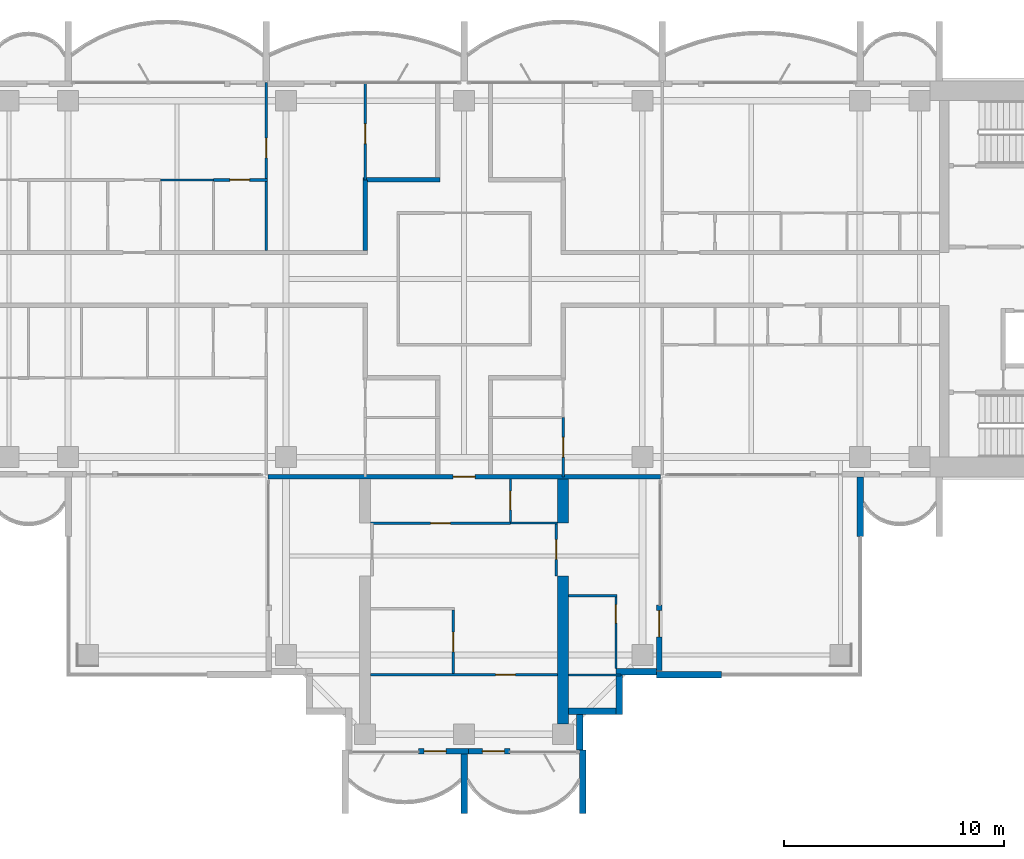
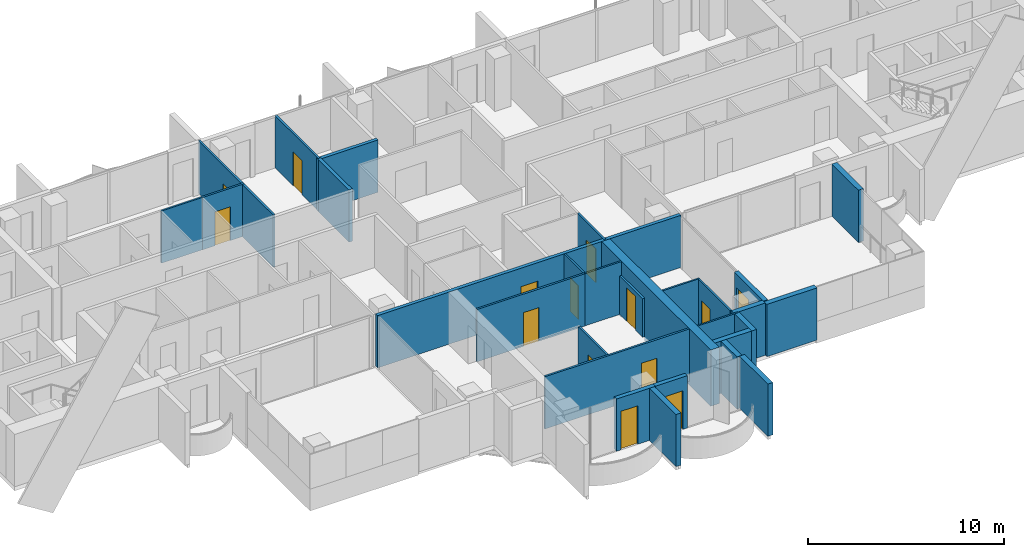
# One storey, part 10 of 17: 29 walls, 14 doors, 14 openings.
"""IFC4 building model written with IfcOpenShell, lengths in metres."""

from ifc_helpers import new_model, si_unit, direction, frame, frame_2d, origin, place, context, subcontext, project, spatial, polyline, rectangle, outline, extrude, material, layer, layer_set, material_profile, profile_set, type_object, element, fill, save


model = new_model("IFC4")

# Units and contexts
model_context = context("Model", 3, precision=1e-05, world=origin(), true_north=direction((0.0, 1.0)))
body_context = subcontext(model_context, "Body", "Model", "MODEL_VIEW")
ifc_project = project(units=[si_unit("LENGTHUNIT", "METRE"), si_unit("AREAUNIT", "SQUARE_METRE"), si_unit("VOLUMEUNIT", "CUBIC_METRE"), si_unit("PLANEANGLEUNIT", "RADIAN"), si_unit("MASSUNIT", "GRAM", prefix="KILO")], contexts=[model_context])

# Site, building, storey
site_placement = place(None, origin())
site = spatial("IfcSite", under=ifc_project, at=site_placement, CompositionType="ELEMENT")
building_placement = place(site_placement, origin())
building = spatial("IfcBuilding", under=site, at=building_placement, Name="Perihelion Cross Residences", CompositionType="ELEMENT")
storey_placement = place(building_placement, frame((0.0, 0.0, 187.60009765625)))
storey = spatial("IfcBuildingStorey", under=building, at=storey_placement, Name="L46", CompositionType="ELEMENT", Elevation=187.60009765625)

# Walls
ifc_material_1 = material(Name="Plasterboard partition")
ifc_layer_1 = layer(ifc_material_1, 0.199951171875)
ifc_layer_set_1 = layer_set([ifc_layer_1], Name="Apartment separation wall 200")
wall_type_1 = type_object("IfcWallType", Name="Apartment separation wall 200", PredefinedType="PARTITIONING", material=ifc_layer_set_1)
wall_1_placement = place(storey_placement, frame((-4.5, 1.300048828125, 0.0), z_axis=(0.0, 0.0, 1.0), x_axis=(0.0, 1.0, 0.0)))
element("IfcWall", 1, at=wall_1_placement, inside=storey, type_object=wall_type_1, Name="Partition L46 W014", PredefinedType="PARTITIONING", context=body_context, shape_type="SweptSolid", body=[
    extrude(rectangle(XDim=3.199951171875, YDim=0.199951171875, at=frame_2d((1.60009765625, 0.0))), origin(), (0.0, 0.0, 1.0), 3.25),
])
wall_2_placement = place(storey_placement, frame((-4.60009765625, 4.5, 0.0), z_axis=(0.0, 0.0, 1.0), x_axis=(1.0, 0.0, 0.0)))
element("IfcWall", 2, at=wall_2_placement, inside=storey, type_object=wall_type_1, Name="Partition L46 W015", PredefinedType="PARTITIONING", context=body_context, shape_type="SweptSolid", body=[
    extrude(rectangle(XDim=3.5, YDim=0.199951171875, at=frame_2d((1.75, 0.0))), origin(), (0.0, 0.0, 1.0), 3.25),
])

# Wall, opening, door
wall_3_placement = place(storey_placement, frame((8.919921875, -9.0, 0.0), z_axis=(0.0, 0.0, 1.0), x_axis=(-1.0, 0.0, 0.0)))
wall_3 = element("IfcWall", 3, at=wall_3_placement, inside=storey, type_object=wall_type_1, Name="Partition L46 W021", PredefinedType="PARTITIONING", context=body_context, shape_type="SweptSolid", body=[
    extrude(rectangle(XDim=17.83984375, YDim=0.199951171875, at=frame_2d((8.919921875, 0.0))), origin(), (0.0, 0.0, 1.0), 3.25),
])
opening_1_placement = place(wall_3_placement, frame((8.419921875, 0.0, 0.0)))
opening_1 = element("IfcOpeningElement", 4, at=opening_1_placement, cuts=wall_3, Name="Opening L46.A32", PredefinedType="OPENING", context=body_context, shape_type="SweptSolid", body=[
    extrude(rectangle(XDim=1.0, YDim=2.10009765625, at=frame_2d((0.5, 1.050048828125))), frame((0.0, 0.10986328125, 0.0), z_axis=(0.0, -1.0, 0.0), x_axis=(1.0, 0.0, 0.0)), (0.0, 0.0, 1.0), 0.219970703125),
])
ifc_material_2 = material(Name="Timber door leaf", Category="wood")
door_type_1 = type_object("IfcDoorType", Name="Flat entrance door 1000 x 2100", OperationType="SINGLE_SWING_LEFT", PredefinedType="DOOR", material=ifc_material_2)
door_1_placement = place(opening_1_placement, origin())
door_1 = element("IfcDoor", 5, at=door_1_placement, inside=storey, type_object=door_type_1, Name="Door L46.A32", OperationType="SINGLE_SWING_RIGHT", OverallHeight=2.10009765625, OverallWidth=1.0, PredefinedType="DOOR", context=body_context, shape_type="SweptSolid", body=[
    extrude(rectangle(XDim=1.0, YDim=2.10009765625, at=frame_2d((0.5, 1.050048828125))), frame((0.0, 0.02490234375, 0.0), z_axis=(0.0, -1.0, 0.0), x_axis=(1.0, 0.0, 0.0)), (0.0, 0.0, 1.0), 0.050048828125),
])
fill(opening_1, door_1)

ifc_material_3 = material(Name="Concrete C30/37, bronze-clad", Category="concrete")
ifc_layer_2 = layer(ifc_material_3, 0.25)
ifc_layer_set_2 = layer_set([ifc_layer_2], Name="Bronze-clad pier wall 250")
wall_type_2 = type_object("IfcWallType", Name="Bronze-clad pier wall 250", PredefinedType="SOLIDWALL", material=ifc_layer_set_2)
wall_4_placement = place(storey_placement, frame((-2.074951171875, -21.47509765625, 0.0), z_axis=(0.0, 0.0, 1.0), x_axis=(1.0, 0.0, 0.0)))
wall_4 = element("IfcWall", 6, at=wall_4_placement, inside=storey, type_object=wall_type_2, Name="Wall FW1 L46 south tip south bay 1 pier", PredefinedType="SOLIDWALL", context=body_context, shape_type="SweptSolid", body=[
    extrude(rectangle(XDim=2.27490234375, YDim=0.25, at=frame_2d((1.137451171875, 0.0))), origin(), (0.0, 0.0, 1.0), 3.25),
])
opening_2_placement = place(wall_4_placement, frame((0.25, 0.0, 0.0)))
opening_2 = element("IfcOpeningElement", 7, at=opening_2_placement, cuts=wall_4, Name="Opening L46.E10", PredefinedType="OPENING", context=body_context, shape_type="SweptSolid", body=[
    extrude(rectangle(XDim=1.0, YDim=2.39990234375, at=frame_2d((0.5, 1.199951171875))), frame((0.0, 0.135009765625, 0.0), z_axis=(0.0, -1.0, 0.0), x_axis=(1.0, 0.0, 0.0)), (0.0, 0.0, 1.0), 0.27001953125),
])
ifc_material_4 = material(Name="Bronze anodised aluminium, glazed", Category="aluminium")
door_type_2 = type_object("IfcDoorType", Name="Balcony door 1000 x 2400", OperationType="NOTDEFINED", PredefinedType="DOOR", material=ifc_material_4)
door_2_placement = place(opening_2_placement, origin())
door_2 = element("IfcDoor", 8, at=door_2_placement, inside=storey, type_object=door_type_2, Name="Door L46.E10 south tip south bay 1", OperationType="SINGLE_SWING_RIGHT", OverallHeight=2.39990234375, OverallWidth=1.0, PredefinedType="DOOR", context=body_context, shape_type="SweptSolid", body=[
    extrude(rectangle(XDim=1.0, YDim=2.39990234375, at=frame_2d((0.5, 1.199951171875))), frame((0.0, 0.02490234375, 0.0), z_axis=(0.0, -1.0, 0.0), x_axis=(1.0, 0.0, 0.0)), (0.0, 0.0, 1.0), 0.050048828125),
])
fill(opening_2, door_2)

wall_5_placement = place(storey_placement, frame((0.199951171875, -21.47509765625, 0.0), z_axis=(0.0, 0.0, 1.0), x_axis=(1.0, 0.0, 0.0)))
wall_5 = element("IfcWall", 9, at=wall_5_placement, inside=storey, type_object=wall_type_2, Name="Wall FW1 L46 south tip south bay 2 pier", PredefinedType="SOLIDWALL", context=body_context, shape_type="SweptSolid", body=[
    extrude(rectangle(XDim=1.875, YDim=0.25, at=frame_2d((0.9375, 0.0))), origin(), (0.0, 0.0, 1.0), 3.25),
])
opening_3_placement = place(wall_5_placement, frame((0.625, 0.0, 0.0)))
opening_3 = element("IfcOpeningElement", 10, at=opening_3_placement, cuts=wall_5, Name="Opening L46.E11", PredefinedType="OPENING", context=body_context, shape_type="SweptSolid", body=[
    extrude(rectangle(XDim=1.0, YDim=2.39990234375, at=frame_2d((0.5, 1.199951171875))), frame((0.0, 0.135009765625, 0.0), z_axis=(0.0, -1.0, 0.0), x_axis=(1.0, 0.0, 0.0)), (0.0, 0.0, 1.0), 0.27001953125),
])
door_3_placement = place(opening_3_placement, origin())
door_3 = element("IfcDoor", 11, at=door_3_placement, inside=storey, type_object=door_type_2, Name="Door L46.E11 south tip south bay 2", OperationType="SINGLE_SWING_LEFT", OverallHeight=2.39990234375, OverallWidth=1.0, PredefinedType="DOOR", context=body_context, shape_type="SweptSolid", body=[
    extrude(rectangle(XDim=1.0, YDim=2.39990234375, at=frame_2d((0.5, 1.199951171875))), frame((0.0, 0.02490234375, 0.0), z_axis=(0.0, -1.0, 0.0), x_axis=(1.0, 0.0, 0.0)), (0.0, 0.0, 1.0), 0.050048828125),
])
fill(opening_3, door_3)

wall_6_placement = place(storey_placement, frame((8.875, -17.800048828125, 0.0), z_axis=(0.0, 0.0, 1.0), x_axis=(0.0, 1.0, 0.0)))
wall_6 = element("IfcWall", 12, at=wall_6_placement, inside=storey, type_object=wall_type_2, Name="Wall FW1 L46 south side east bay 1 pier", PredefinedType="SOLIDWALL", context=body_context, shape_type="SweptSolid", body=[
    extrude(rectangle(XDim=2.97509765625, YDim=0.25, at=frame_2d((1.487548828125, 0.0))), origin(), (0.0, 0.0, 1.0), 3.25),
])
opening_4_placement = place(wall_6_placement, frame((1.52490234375, 0.0, 0.0)))
opening_4 = element("IfcOpeningElement", 13, at=opening_4_placement, cuts=wall_6, Name="Opening L46.E12", PredefinedType="OPENING", context=body_context, shape_type="SweptSolid", body=[
    extrude(rectangle(XDim=1.199951171875, YDim=2.39990234375, at=frame_2d((0.60009765625, 1.199951171875))), frame((0.0, 0.135009765625, 0.0), z_axis=(0.0, -1.0, 0.0), x_axis=(1.0, 0.0, 0.0)), (0.0, 0.0, 1.0), 0.27001953125),
])
ifc_material_5 = material(Name="Bronze anodised aluminium, glazed", Category="aluminium")
door_type_3 = type_object("IfcDoorType", Name="Balcony door 1200 x 2400", OperationType="NOTDEFINED", PredefinedType="DOOR", material=ifc_material_5)
door_4_placement = place(opening_4_placement, origin())
door_4 = element("IfcDoor", 14, at=door_4_placement, inside=storey, type_object=door_type_3, Name="Door L46.E12 south side east bay 1", OperationType="SINGLE_SWING_RIGHT", OverallHeight=2.39990234375, OverallWidth=1.199951171875, PredefinedType="DOOR", context=body_context, shape_type="SweptSolid", body=[
    extrude(rectangle(XDim=1.199951171875, YDim=2.39990234375, at=frame_2d((0.60009765625, 1.199951171875))), frame((0.0, 0.02490234375, 0.0), z_axis=(0.0, -1.0, 0.0), x_axis=(1.0, 0.0, 0.0)), (0.0, 0.0, 1.0), 0.050048828125),
])
fill(opening_4, door_4)

# Walls
ifc_material_6 = material(Name="Concrete C30/37, bronze-clad", Category="concrete")
ifc_layer_3 = layer(ifc_material_6, 0.300048828125)
ifc_layer_set_3 = layer_set([ifc_layer_3], Name="Bronze-clad serration wall 300")
wall_type_3 = type_object("IfcWallType", Name="Bronze-clad serration wall 300", PredefinedType="SOLIDWALL", material=ifc_layer_set_3)
wall_7_placement = place(storey_placement, frame((5.25, -21.419921875, 0.0), z_axis=(0.0, 0.0, 1.0), x_axis=(0.0, 1.0, 0.0)))
element("IfcWall", 15, at=wall_7_placement, inside=storey, type_object=wall_type_3, Name="Wall SR1 L46 south corner south-east 1", PredefinedType="SOLIDWALL", context=body_context, shape_type="SweptSolid", body=[
    extrude(rectangle(XDim=1.619873046875, YDim=0.300048828125, at=frame_2d((0.81005859375, 0.0))), origin(), (0.0, 0.0, 1.0), 3.25),
])
wall_8_placement = place(storey_placement, frame((4.75, -19.64990234375, 0.0), z_axis=(0.0, 0.0, 1.0), x_axis=(1.0, 0.0, 0.0)))
element("IfcWall", 16, at=wall_8_placement, inside=storey, type_object=wall_type_3, Name="Wall SR1 L46 south corner south-east 2", PredefinedType="SOLIDWALL", context=body_context, shape_type="SweptSolid", body=[
    extrude(rectangle(XDim=2.14990234375, YDim=0.300048828125, at=frame_2d((1.074951171875, 0.0))), origin(), (0.0, 0.0, 1.0), 3.25),
])
wall_9_placement = place(storey_placement, frame((7.050048828125, -19.800048828125, 0.0), z_axis=(0.0, 0.0, 1.0), x_axis=(0.0, 1.0, 0.0)))
element("IfcWall", 17, at=wall_9_placement, inside=storey, type_object=wall_type_3, Name="Wall SR1 L46 south corner south-east 3", PredefinedType="SOLIDWALL", context=body_context, shape_type="SweptSolid", body=[
    extrude(rectangle(XDim=1.800048828125, YDim=0.300048828125, at=frame_2d((0.89990234375, 0.0))), origin(), (0.0, 0.0, 1.0), 3.25),
])
wall_10_placement = place(storey_placement, frame((6.89990234375, -17.85009765625, 0.0), z_axis=(0.0, 0.0, 1.0), x_axis=(1.0, 0.0, 0.0)))
element("IfcWall", 18, at=wall_10_placement, inside=storey, type_object=wall_type_3, Name="Wall SR1 L46 south corner south-east 4", PredefinedType="SOLIDWALL", context=body_context, shape_type="SweptSolid", body=[
    extrude(rectangle(XDim=1.85009765625, YDim=0.300048828125, at=frame_2d((0.925048828125, 0.0))), origin(), (0.0, 0.0, 1.0), 3.25),
])

# Wall, opening, door
ifc_material_7 = material(Name="Plasterboard partition")
ifc_layer_4 = layer(ifc_material_7, 0.1201171875)
ifc_layer_set_4 = layer_set([ifc_layer_4], Name="Infill panel 120")
wall_type_4 = type_object("IfcWallType", Name="Infill panel 120", PredefinedType="PARTITIONING", material=ifc_layer_set_4)
wall_11_placement = place(storey_placement, frame((4.18994140625, -11.10009765625, 0.0), z_axis=(0.0, 0.0, 1.0), x_axis=(0.0, -1.0, 0.0)))
wall_11 = element("IfcWall", 19, at=wall_11_placement, inside=storey, type_object=wall_type_4, Name="Partition L46 WI01", PredefinedType="PARTITIONING", context=body_context, shape_type="SweptSolid", body=[
    extrude(rectangle(XDim=2.39990234375, YDim=0.1201171875, at=frame_2d((1.199951171875, 0.0))), origin(), (0.0, 0.0, 1.0), 2.39990234375),
])
opening_5_placement = place(wall_11_placement, frame((0.75, 0.0, 0.0)))
opening_5 = element("IfcOpeningElement", 20, at=opening_5_placement, cuts=wall_11, Name="Opening L46.A42", PredefinedType="OPENING", context=body_context, shape_type="SweptSolid", body=[
    extrude(rectangle(XDim=0.89990234375, YDim=2.10009765625, at=frame_2d((0.449951171875, 1.050048828125))), frame((0.0, 0.070068359375, 0.0), z_axis=(0.0, -1.0, 0.0), x_axis=(1.0, 0.0, 0.0)), (0.0, 0.0, 1.0), 0.14013671875),
])
ifc_material_8 = material(Name="Timber door leaf", Category="wood")
door_type_4 = type_object("IfcDoorType", Name="Interior room door 900 x 2100", OperationType="SINGLE_SWING_LEFT", PredefinedType="DOOR", material=ifc_material_8)
door_5_placement = place(opening_5_placement, origin())
door_5 = element("IfcDoor", 21, at=door_5_placement, inside=storey, type_object=door_type_4, Name="Door L46.A42", OperationType="SINGLE_SWING_LEFT", OverallHeight=2.10009765625, OverallWidth=0.89990234375, PredefinedType="DOOR", context=body_context, shape_type="SweptSolid", body=[
    extrude(rectangle(XDim=0.89990234375, YDim=2.10009765625, at=frame_2d((0.449951171875, 1.050048828125))), frame((0.0, 0.02490234375, 0.0), z_axis=(0.0, -1.0, 0.0), x_axis=(1.0, 0.0, 0.0)), (0.0, 0.0, 1.0), 0.050048828125),
])
fill(opening_5, door_5)

ifc_material_9 = material(Name="Plasterboard partition")
ifc_layer_5 = layer(ifc_material_9, 0.1201171875)
ifc_layer_set_5 = layer_set([ifc_layer_5], Name="Partition wall 120")
wall_type_5 = type_object("IfcWallType", Name="Partition wall 120", PredefinedType="PARTITIONING", material=ifc_layer_set_5)
wall_12_placement = place(storey_placement, frame((4.5, -9.0, 0.0), z_axis=(0.0, 0.0, 1.0), x_axis=(0.0, 1.0, 0.0)))
wall_12 = element("IfcWall", 22, at=wall_12_placement, inside=storey, type_object=wall_type_5, Name="Partition L46 W041", PredefinedType="PARTITIONING", context=body_context, shape_type="SweptSolid", body=[
    extrude(rectangle(XDim=2.699951171875, YDim=0.1201171875, at=frame_2d((1.35009765625, 0.0))), origin(), (0.0, 0.0, 1.0), 3.25),
])
opening_6_placement = place(wall_12_placement, frame((0.89990234375, 0.0, 0.0)))
opening_6 = element("IfcOpeningElement", 23, at=opening_6_placement, cuts=wall_12, Name="Opening L46.A13", PredefinedType="OPENING", context=body_context, shape_type="SweptSolid", body=[
    extrude(rectangle(XDim=0.89990234375, YDim=2.10009765625, at=frame_2d((0.449951171875, 1.050048828125))), frame((0.0, 0.070068359375, 0.0), z_axis=(0.0, -1.0, 0.0), x_axis=(1.0, 0.0, 0.0)), (0.0, 0.0, 1.0), 0.14013671875),
])
door_6_placement = place(opening_6_placement, origin())
door_6 = element("IfcDoor", 24, at=door_6_placement, inside=storey, type_object=door_type_4, Name="Door L46.A13", OperationType="SINGLE_SWING_RIGHT", OverallHeight=2.10009765625, OverallWidth=0.89990234375, PredefinedType="DOOR", context=body_context, shape_type="SweptSolid", body=[
    extrude(rectangle(XDim=0.89990234375, YDim=2.10009765625, at=frame_2d((0.449951171875, 1.050048828125))), frame((0.0, 0.02490234375, 0.0), z_axis=(0.0, -1.0, 0.0), x_axis=(1.0, 0.0, 0.0)), (0.0, 0.0, 1.0), 0.050048828125),
])
fill(opening_6, door_6)

wall_13_placement = place(storey_placement, frame((-11.39990234375, 4.5, 0.0), z_axis=(0.0, 0.0, 1.0), x_axis=(1.0, 0.0, 0.0)))
wall_13 = element("IfcWall", 25, at=wall_13_placement, inside=storey, type_object=wall_type_5, Name="Partition L46 W044", PredefinedType="PARTITIONING", context=body_context, shape_type="SweptSolid", body=[
    extrude(rectangle(XDim=2.4599609375, YDim=0.1201171875, at=frame_2d((1.22998046875, 0.0))), origin(), (0.0, 0.0, 1.0), 3.25),
])
opening_7_placement = place(wall_13_placement, frame((0.75, 0.0, 0.0)))
opening_7 = element("IfcOpeningElement", 26, at=opening_7_placement, cuts=wall_13, Name="Opening L46.A23", PredefinedType="OPENING", context=body_context, shape_type="SweptSolid", body=[
    extrude(rectangle(XDim=0.89990234375, YDim=2.10009765625, at=frame_2d((0.449951171875, 1.050048828125))), frame((0.0, 0.070068359375, 0.0), z_axis=(0.0, -1.0, 0.0), x_axis=(1.0, 0.0, 0.0)), (0.0, 0.0, 1.0), 0.14013671875),
])
door_7_placement = place(opening_7_placement, origin())
door_7 = element("IfcDoor", 27, at=door_7_placement, inside=storey, type_object=door_type_4, Name="Door L46.A23", OperationType="SINGLE_SWING_RIGHT", OverallHeight=2.10009765625, OverallWidth=0.89990234375, PredefinedType="DOOR", context=body_context, shape_type="SweptSolid", body=[
    extrude(rectangle(XDim=0.89990234375, YDim=2.10009765625, at=frame_2d((0.449951171875, 1.050048828125))), frame((0.0, 0.02490234375, 0.0), z_axis=(0.0, -1.0, 0.0), x_axis=(1.0, 0.0, 0.0)), (0.0, 0.0, 1.0), 0.050048828125),
])
fill(opening_7, door_7)

wall_14_placement = place(storey_placement, frame((-9.0, 8.919921875, 0.0), z_axis=(0.0, 0.0, 1.0), x_axis=(0.0, -1.0, 0.0)))
wall_14 = element("IfcWall", 28, at=wall_14_placement, inside=storey, type_object=wall_type_5, Name="Partition L46 W045", PredefinedType="PARTITIONING", context=body_context, shape_type="SweptSolid", body=[
    extrude(rectangle(XDim=7.619873046875, YDim=0.1201171875, at=frame_2d((3.81005859375, 0.0))), origin(), (0.0, 0.0, 1.0), 3.25),
])
opening_8_placement = place(wall_14_placement, frame((2.52001953125, 0.0, 0.0)))
opening_8 = element("IfcOpeningElement", 29, at=opening_8_placement, cuts=wall_14, Name="Opening L46.A22", PredefinedType="OPENING", context=body_context, shape_type="SweptSolid", body=[
    extrude(rectangle(XDim=0.89990234375, YDim=2.10009765625, at=frame_2d((0.449951171875, 1.050048828125))), frame((0.0, 0.070068359375, 0.0), z_axis=(0.0, -1.0, 0.0), x_axis=(1.0, 0.0, 0.0)), (0.0, 0.0, 1.0), 0.14013671875),
])
door_8_placement = place(opening_8_placement, origin())
door_8 = element("IfcDoor", 30, at=door_8_placement, inside=storey, type_object=door_type_4, Name="Door L46.A22", OperationType="SINGLE_SWING_RIGHT", OverallHeight=2.10009765625, OverallWidth=0.89990234375, PredefinedType="DOOR", context=body_context, shape_type="SweptSolid", body=[
    extrude(rectangle(XDim=0.89990234375, YDim=2.10009765625, at=frame_2d((0.449951171875, 1.050048828125))), frame((0.0, 0.02490234375, 0.0), z_axis=(0.0, -1.0, 0.0), x_axis=(1.0, 0.0, 0.0)), (0.0, 0.0, 1.0), 0.050048828125),
])
fill(opening_8, door_8)

wall_15_placement = place(storey_placement, frame((-4.5, 8.919921875, 0.0), z_axis=(0.0, 0.0, 1.0), x_axis=(0.0, -1.0, 0.0)))
wall_15 = element("IfcWall", 31, at=wall_15_placement, inside=storey, type_object=wall_type_5, Name="Partition L46 W051", PredefinedType="PARTITIONING", context=body_context, shape_type="SweptSolid", body=[
    extrude(rectangle(XDim=4.419921875, YDim=0.1201171875, at=frame_2d((2.2099609375, 0.0))), origin(), (0.0, 0.0, 1.0), 3.25),
])
opening_9_placement = place(wall_15_placement, frame((1.8701171875, 0.0, 0.0)))
opening_9 = element("IfcOpeningElement", 32, at=opening_9_placement, cuts=wall_15, Name="Opening L46.A18", PredefinedType="OPENING", context=body_context, shape_type="SweptSolid", body=[
    extrude(rectangle(XDim=0.89990234375, YDim=2.10009765625, at=frame_2d((0.449951171875, 1.050048828125))), frame((0.0, 0.070068359375, 0.0), z_axis=(0.0, -1.0, 0.0), x_axis=(1.0, 0.0, 0.0)), (0.0, 0.0, 1.0), 0.14013671875),
])
door_9_placement = place(opening_9_placement, origin())
door_9 = element("IfcDoor", 33, at=door_9_placement, inside=storey, type_object=door_type_4, Name="Door L46.A18", OperationType="SINGLE_SWING_RIGHT", OverallHeight=2.10009765625, OverallWidth=0.89990234375, PredefinedType="DOOR", context=body_context, shape_type="SweptSolid", body=[
    extrude(rectangle(XDim=0.89990234375, YDim=2.10009765625, at=frame_2d((0.449951171875, 1.050048828125))), frame((0.0, 0.02490234375, 0.0), z_axis=(0.0, -1.0, 0.0), x_axis=(1.0, 0.0, 0.0)), (0.0, 0.0, 1.0), 0.050048828125),
])
fill(opening_9, door_9)

wall_16_placement = place(storey_placement, frame((2.10009765625, -11.10009765625, 0.0), z_axis=(0.0, 0.0, 1.0), x_axis=(-1.0, 0.0, 0.0)))
wall_16 = element("IfcWall", 34, at=wall_16_placement, inside=storey, type_object=wall_type_5, Name="Partition L46 W065", PredefinedType="PARTITIONING", context=body_context, shape_type="SweptSolid", body=[
    extrude(rectangle(XDim=6.35009765625, YDim=0.1201171875, at=frame_2d((3.175048828125, 0.0))), origin(), (0.0, 0.0, 1.0), 3.25),
])
opening_10_placement = place(wall_16_placement, frame((2.72509765625, 0.0, 0.0)))
opening_10 = element("IfcOpeningElement", 35, at=opening_10_placement, cuts=wall_16, Name="Opening L46.A34", PredefinedType="OPENING", context=body_context, shape_type="SweptSolid", body=[
    extrude(rectangle(XDim=0.89990234375, YDim=2.10009765625, at=frame_2d((0.449951171875, 1.050048828125))), frame((0.0, 0.070068359375, 0.0), z_axis=(0.0, -1.0, 0.0), x_axis=(1.0, 0.0, 0.0)), (0.0, 0.0, 1.0), 0.14013671875),
])
door_10_placement = place(opening_10_placement, origin())
door_10 = element("IfcDoor", 36, at=door_10_placement, inside=storey, type_object=door_type_4, Name="Door L46.A34", OperationType="SINGLE_SWING_RIGHT", OverallHeight=2.10009765625, OverallWidth=0.89990234375, PredefinedType="DOOR", context=body_context, shape_type="SweptSolid", body=[
    extrude(rectangle(XDim=0.89990234375, YDim=2.10009765625, at=frame_2d((0.449951171875, 1.050048828125))), frame((0.0, 0.02490234375, 0.0), z_axis=(0.0, -1.0, 0.0), x_axis=(1.0, 0.0, 0.0)), (0.0, 0.0, 1.0), 0.050048828125),
])
fill(opening_10, door_10)

wall_17_placement = place(storey_placement, frame((-0.5, -17.93994140625, 0.0), z_axis=(0.0, 0.0, 1.0), x_axis=(0.0, 1.0, 0.0)))
wall_17 = element("IfcWall", 37, at=wall_17_placement, inside=storey, type_object=wall_type_5, Name="Partition L46 W067", PredefinedType="PARTITIONING", context=body_context, shape_type="SweptSolid", body=[
    extrude(rectangle(XDim=2.8798828125, YDim=0.1201171875, at=frame_2d((1.43994140625, 0.0))), origin(), (0.0, 0.0, 1.0), 3.25),
])
opening_11_placement = place(wall_17_placement, frame((0.989990234375, 0.0, 0.0)))
opening_11 = element("IfcOpeningElement", 38, at=opening_11_placement, cuts=wall_17, Name="Opening L46.A35", PredefinedType="OPENING", context=body_context, shape_type="SweptSolid", body=[
    extrude(rectangle(XDim=0.89990234375, YDim=2.10009765625, at=frame_2d((0.449951171875, 1.050048828125))), frame((0.0, 0.070068359375, 0.0), z_axis=(0.0, -1.0, 0.0), x_axis=(1.0, 0.0, 0.0)), (0.0, 0.0, 1.0), 0.14013671875),
])
door_11_placement = place(opening_11_placement, origin())
door_11 = element("IfcDoor", 39, at=door_11_placement, inside=storey, type_object=door_type_4, Name="Door L46.A35", OperationType="SINGLE_SWING_LEFT", OverallHeight=2.10009765625, OverallWidth=0.89990234375, PredefinedType="DOOR", context=body_context, shape_type="SweptSolid", body=[
    extrude(rectangle(XDim=0.89990234375, YDim=2.10009765625, at=frame_2d((0.449951171875, 1.050048828125))), frame((0.0, 0.02490234375, 0.0), z_axis=(0.0, -1.0, 0.0), x_axis=(1.0, 0.0, 0.0)), (0.0, 0.0, 1.0), 0.050048828125),
])
fill(opening_11, door_11)

wall_18_placement = place(storey_placement, frame((4.25, -18.0, 0.0), z_axis=(0.0, 0.0, 1.0), x_axis=(-1.0, 0.0, 0.0)))
wall_18 = element("IfcWall", 40, at=wall_18_placement, inside=storey, type_object=wall_type_5, Name="Partition L46 W069", PredefinedType="PARTITIONING", context=body_context, shape_type="SweptSolid", body=[
    extrude(rectangle(XDim=8.5, YDim=0.1201171875, at=frame_2d((4.25, 0.0))), origin(), (0.0, 0.0, 1.0), 3.25),
])
opening_12_placement = place(wall_18_placement, frame((1.925048828125, 0.0, 0.0)))
opening_12 = element("IfcOpeningElement", 41, at=opening_12_placement, cuts=wall_18, Name="Opening L46.A36", PredefinedType="OPENING", context=body_context, shape_type="SweptSolid", body=[
    extrude(rectangle(XDim=0.89990234375, YDim=2.10009765625, at=frame_2d((0.449951171875, 1.050048828125))), frame((0.0, 0.070068359375, 0.0), z_axis=(0.0, -1.0, 0.0), x_axis=(1.0, 0.0, 0.0)), (0.0, 0.0, 1.0), 0.14013671875),
])
door_12_placement = place(opening_12_placement, origin())
door_12 = element("IfcDoor", 42, at=door_12_placement, inside=storey, type_object=door_type_4, Name="Door L46.A36", OperationType="SINGLE_SWING_LEFT", OverallHeight=2.10009765625, OverallWidth=0.89990234375, PredefinedType="DOOR", context=body_context, shape_type="SweptSolid", body=[
    extrude(rectangle(XDim=0.89990234375, YDim=2.10009765625, at=frame_2d((0.449951171875, 1.050048828125))), frame((0.0, 0.02490234375, 0.0), z_axis=(0.0, -1.0, 0.0), x_axis=(1.0, 0.0, 0.0)), (0.0, 0.0, 1.0), 0.050048828125),
])
fill(opening_12, door_12)

# Walls
ifc_material_10 = material(Name="Precast concrete C50/60", Category="concrete")
ifc_layer_6 = layer(ifc_material_10, 0.300048828125)
ifc_layer_set_6 = layer_set([ifc_layer_6], Name="Precast concrete C50/60 blade wall 300")
wall_type_6 = type_object("IfcWallType", Name="Precast concrete C50/60 blade wall 300", PredefinedType="SOLIDWALL", material=ifc_layer_set_6)
wall_19_placement = place(storey_placement, frame((0.0, -21.60009765625, 0.0), z_axis=(0.0, 0.0, 1.0), x_axis=(0.0, -1.0, 0.0)))
element("IfcWall", 43, at=wall_19_placement, inside=storey, type_object=wall_type_6, Name="Wall BL1 L46 no. 8", PredefinedType="SOLIDWALL", context=body_context, shape_type="SweptSolid", body=[
    extrude(rectangle(XDim=2.699951171875, YDim=0.300048828125, at=frame_2d((1.35009765625, 0.0))), origin(), (0.0, 0.0, 1.0), 3.25),
])
wall_20_placement = place(storey_placement, frame((5.39990234375, -21.419921875, 0.0), z_axis=(0.0, 0.0, 1.0), x_axis=(0.0, -1.0, 0.0)))
element("IfcWall", 44, at=wall_20_placement, inside=storey, type_object=wall_type_6, Name="Wall BL1 L46 no. 14", PredefinedType="SOLIDWALL", context=body_context, shape_type="SweptSolid", body=[
    extrude(rectangle(XDim=2.880126953125, YDim=0.300048828125, at=frame_2d((1.43994140625, 0.0))), origin(), (0.0, 0.0, 1.0), 3.25),
])
wall_21_placement = place(storey_placement, frame((8.75, -18.0, 0.0), z_axis=(0.0, 0.0, 1.0), x_axis=(1.0, 0.0, 0.0)))
element("IfcWall", 45, at=wall_21_placement, inside=storey, type_object=wall_type_6, Name="Wall BL1 L46 no. 15", PredefinedType="SOLIDWALL", context=body_context, shape_type="SweptSolid", body=[
    extrude(rectangle(XDim=2.949951171875, YDim=0.300048828125, at=frame_2d((1.47509765625, 0.0))), origin(), (0.0, 0.0, 1.0), 3.25),
])
wall_22_placement = place(storey_placement, frame((18.0, -9.0, 0.0), z_axis=(0.0, 0.0, 1.0), x_axis=(0.0, -1.0, 0.0)))
element("IfcWall", 46, at=wall_22_placement, inside=storey, type_object=wall_type_6, Name="Wall BL1 L46 no. 10", PredefinedType="SOLIDWALL", context=body_context, shape_type="SweptSolid", body=[
    extrude(rectangle(XDim=2.699951171875, YDim=0.300048828125, at=frame_2d((1.35009765625, 0.0))), origin(), (0.0, 0.0, 1.0), 3.25),
])
ifc_material_11 = material(Name="Concrete C60/75", Category="concrete")
ifc_material_profile = material_profile(ifc_material_11, outline(polyline([(0.0, 0.0), (6.72509765625, 0.0), (6.72509765625, 2.64990234375), (9.125, 2.64990234375), (9.125, 0.0), (11.22509765625, 0.0), (11.22509765625, 3.5), (0.0, 3.5), (0.0, 0.0)])), Name="Tip spine wall")
ifc_profile_set = profile_set([ifc_material_profile], Name="Concrete C60/75")
wall_type_7 = type_object("IfcWallType", Name="Tip spine wall 500 with 1 door openings 11225 long 3500 high concrete C60/75", PredefinedType="SHEAR", material=ifc_profile_set)
wall_23_placement = place(storey_placement, frame((4.25, -20.22509765625, -0.25), z_axis=(1.0, 0.0, 0.0), x_axis=(0.0, 1.0, 0.0)))
element("IfcWall", 47, at=wall_23_placement, inside=storey, type_object=wall_type_7, Name="Shear wall SW41 L46 south east", PredefinedType="SHEAR", context=body_context, shape_type="SweptSolid", body=[
    extrude(outline(polyline([(0.0, 0.0), (6.72509765625, 0.0), (6.72509765625, 2.64990234375), (9.125, 2.64990234375), (9.125, 0.0), (11.22509765625, 0.0), (11.22509765625, 3.5), (0.0, 3.5), (0.0, 0.0)])), origin(), (0.0, 0.0, 1.0), 0.5),
])
ifc_material_12 = material(Name="Plasterboard partition")
ifc_layer_7 = layer(ifc_material_12, 0.10009765625)
ifc_layer_set_7 = layer_set([ifc_layer_7], Name="Wet room wall 100")
wall_type_8 = type_object("IfcWallType", Name="Wet room wall 100", PredefinedType="PARTITIONING", material=ifc_layer_set_7)
wall_24_placement = place(storey_placement, frame((-13.800048828125, 4.5, 0.0), z_axis=(0.0, 0.0, 1.0), x_axis=(1.0, 0.0, 0.0)))
element("IfcWall", 48, at=wall_24_placement, inside=storey, type_object=wall_type_8, Name="Partition L46 W047", PredefinedType="PARTITIONING", context=body_context, shape_type="SweptSolid", body=[
    extrude(rectangle(XDim=2.400146484375, YDim=0.10009765625, at=frame_2d((1.2001953125, 0.0))), origin(), (0.0, 0.0, 1.0), 3.25),
])

# Wall, opening, door
wall_25_placement = place(storey_placement, frame((2.10009765625, -9.10009765625, 0.0), z_axis=(0.0, 0.0, 1.0), x_axis=(0.0, -1.0, 0.0)))
wall_25 = element("IfcWall", 49, at=wall_25_placement, inside=storey, type_object=wall_type_8, Name="Partition L46 W064", PredefinedType="PARTITIONING", context=body_context, shape_type="SweptSolid", body=[
    extrude(rectangle(XDim=1.93994140625, YDim=0.10009765625, at=frame_2d((0.969970703125, 0.0))), origin(), (0.0, 0.0, 1.0), 3.25),
])
opening_13_placement = place(wall_25_placement, frame((0.544921875, 0.0, 0.0)))
opening_13 = element("IfcOpeningElement", 50, at=opening_13_placement, cuts=wall_25, Name="Opening L46.A33", PredefinedType="OPENING", context=body_context, shape_type="SweptSolid", body=[
    extrude(rectangle(XDim=0.85009765625, YDim=2.10009765625, at=frame_2d((0.425048828125, 1.050048828125))), frame((0.0, 0.06005859375, 0.0), z_axis=(0.0, -1.0, 0.0), x_axis=(1.0, 0.0, 0.0)), (0.0, 0.0, 1.0), 0.1201171875),
])
ifc_material_13 = material(Name="Timber door leaf", Category="wood")
door_type_5 = type_object("IfcDoorType", Name="Interior bathroom door 850 x 2100", OperationType="SINGLE_SWING_LEFT", PredefinedType="DOOR", material=ifc_material_13)
door_13_placement = place(opening_13_placement, origin())
door_13 = element("IfcDoor", 51, at=door_13_placement, inside=storey, type_object=door_type_5, Name="Door L46.A33", OperationType="SINGLE_SWING_LEFT", OverallHeight=2.10009765625, OverallWidth=0.85009765625, PredefinedType="DOOR", context=body_context, shape_type="SweptSolid", body=[
    extrude(rectangle(XDim=0.85009765625, YDim=2.10009765625, at=frame_2d((0.425048828125, 1.050048828125))), frame((0.0, 0.02490234375, 0.0), z_axis=(0.0, -1.0, 0.0), x_axis=(1.0, 0.0, 0.0)), (0.0, 0.0, 1.0), 0.050048828125),
])
fill(opening_13, door_13)

# Wall
wall_26_placement = place(storey_placement, frame((4.25, -11.10009765625, 0.0), z_axis=(0.0, 0.0, 1.0), x_axis=(-1.0, 0.0, 0.0)))
element("IfcWall", 52, at=wall_26_placement, inside=storey, type_object=wall_type_8, Name="Partition L46 W066", PredefinedType="PARTITIONING", context=body_context, shape_type="SweptSolid", body=[
    extrude(rectangle(XDim=2.14990234375, YDim=0.10009765625, at=frame_2d((1.074951171875, 0.0))), origin(), (0.0, 0.0, 1.0), 3.25),
])

# Wall, opening, door
wall_27_placement = place(storey_placement, frame((6.89990234375, -17.699951171875, 0.0), z_axis=(0.0, 0.0, 1.0), x_axis=(0.0, 1.0, 0.0)))
wall_27 = element("IfcWall", 53, at=wall_27_placement, inside=storey, type_object=wall_type_8, Name="Partition L46 W070", PredefinedType="PARTITIONING", context=body_context, shape_type="SweptSolid", body=[
    extrude(rectangle(XDim=3.25, YDim=0.10009765625, at=frame_2d((1.625, 0.0))), origin(), (0.0, 0.0, 1.0), 3.25),
])
opening_14_placement = place(wall_27_placement, frame((2.050048828125, 0.0, 0.0)))
opening_14 = element("IfcOpeningElement", 54, at=opening_14_placement, cuts=wall_27, Name="Opening L46.A37", PredefinedType="OPENING", context=body_context, shape_type="SweptSolid", body=[
    extrude(rectangle(XDim=0.85009765625, YDim=2.10009765625, at=frame_2d((0.425048828125, 1.050048828125))), frame((0.0, 0.06005859375, 0.0), z_axis=(0.0, -1.0, 0.0), x_axis=(1.0, 0.0, 0.0)), (0.0, 0.0, 1.0), 0.1201171875),
])
door_14_placement = place(opening_14_placement, origin())
door_14 = element("IfcDoor", 55, at=door_14_placement, inside=storey, type_object=door_type_5, Name="Door L46.A37", OperationType="SINGLE_SWING_RIGHT", OverallHeight=2.10009765625, OverallWidth=0.85009765625, PredefinedType="DOOR", context=body_context, shape_type="SweptSolid", body=[
    extrude(rectangle(XDim=0.85009765625, YDim=2.10009765625, at=frame_2d((0.425048828125, 1.050048828125))), frame((0.0, 0.02490234375, 0.0), z_axis=(0.0, -1.0, 0.0), x_axis=(1.0, 0.0, 0.0)), (0.0, 0.0, 1.0), 0.050048828125),
])
fill(opening_14, door_14)

# Walls
wall_28_placement = place(storey_placement, frame((6.949951171875, -14.39990234375, 0.0), z_axis=(0.0, 0.0, 1.0), x_axis=(-1.0, 0.0, 0.0)))
element("IfcWall", 56, at=wall_28_placement, inside=storey, type_object=wall_type_8, Name="Partition L46 W071", PredefinedType="PARTITIONING", context=body_context, shape_type="SweptSolid", body=[
    extrude(rectangle(XDim=2.199951171875, YDim=0.10009765625, at=frame_2d((1.10009765625, 0.0))), origin(), (0.0, 0.0, 1.0), 3.25),
])
wall_29_placement = place(storey_placement, frame((7.1201171875, -18.0, 0.0), z_axis=(0.0, 0.0, 1.0), x_axis=(-1.0, 0.0, 0.0)))
element("IfcWall", 57, at=wall_29_placement, inside=storey, type_object=wall_type_8, Name="Partition L46 W072", PredefinedType="PARTITIONING", context=body_context, shape_type="SweptSolid", body=[
    extrude(rectangle(XDim=2.3701171875, YDim=0.10009765625, at=frame_2d((1.18505859375, 0.0))), origin(), (0.0, 0.0, 1.0), 3.25),
])

save(model, "model.ifc")
